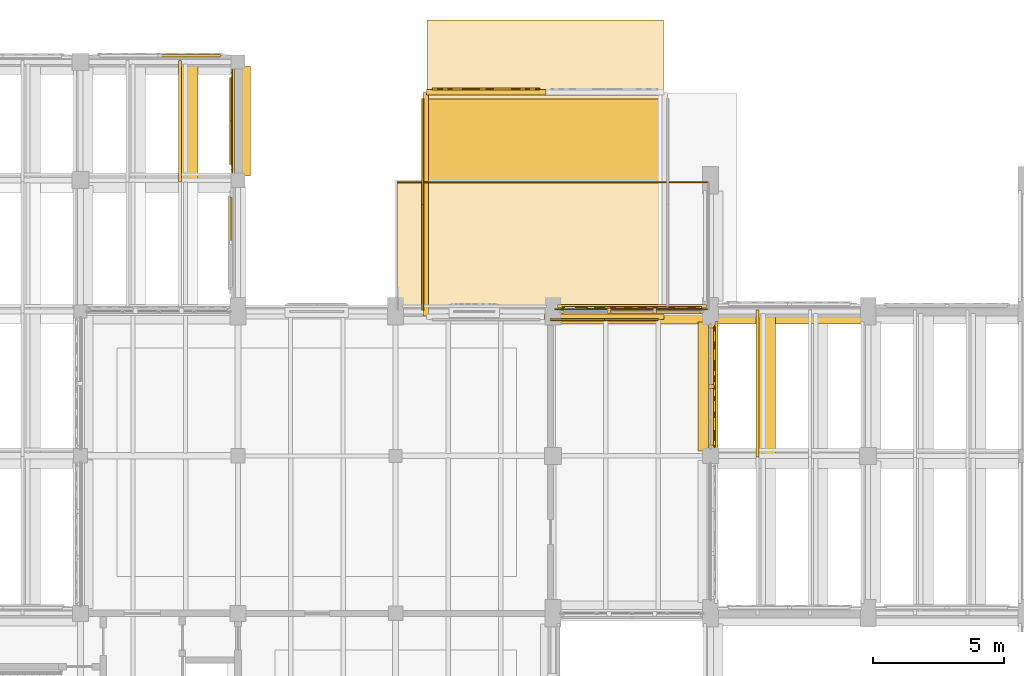
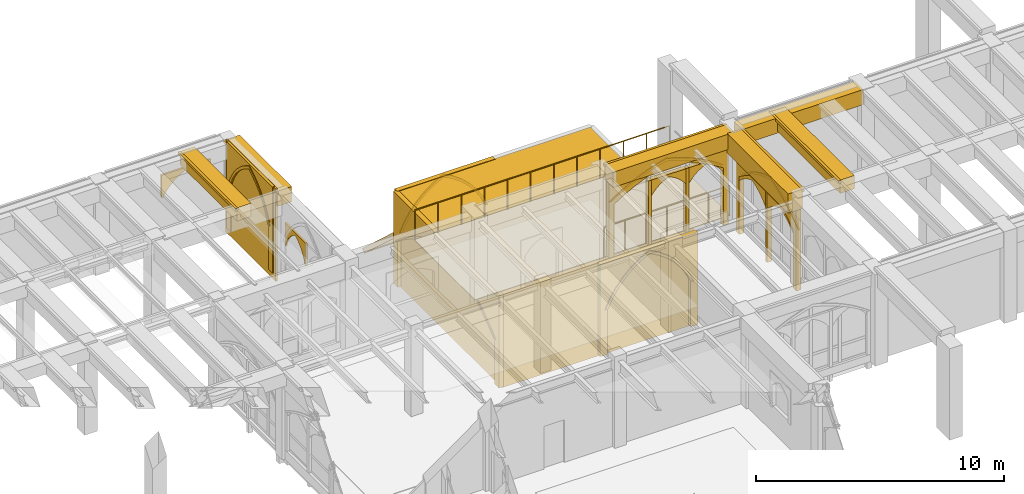
# One storey, part 115 of 127: 36 coverings, 2 railings.
"""IFC4 building model written with IfcOpenShell, lengths in metres."""

from ifc_helpers import new_model, si_unit, direction, frame, origin, origin_2d, place, context, subcontext, project, spatial, polyline, rectangle, circle, outline, extrude, material, type_object, element, save


model = new_model("IFC4")

# Units and contexts
model_context = context("Model", 3, precision=1e-05, world=origin(), true_north=direction((0.0, 1.0)))
body_context = subcontext(model_context, "Body", "Model", "MODEL_VIEW")
ifc_project = project(units=[si_unit("LENGTHUNIT", "METRE"), si_unit("AREAUNIT", "SQUARE_METRE"), si_unit("VOLUMEUNIT", "CUBIC_METRE"), si_unit("PLANEANGLEUNIT", "RADIAN"), si_unit("MASSUNIT", "GRAM", prefix="KILO")], contexts=[model_context])

# Site, building, storey
site_placement = place(None, origin())
site = spatial("IfcSite", under=ifc_project, at=site_placement, CompositionType="ELEMENT")
building_placement = place(site_placement, origin())
building = spatial("IfcBuilding", under=site, at=building_placement, Name="Cumevento Cable Car Station", CompositionType="ELEMENT")
storey_placement = place(building_placement, frame((0.0, 0.0, 4.5)))
storey = spatial("IfcBuildingStorey", under=building, at=storey_placement, Name="L02", CompositionType="ELEMENT", Elevation=4.5)

# Railings
ifc_material_1 = material(Name="Painted Galvanised Architectural Steel", Category="steel")
railing_type = type_object("IfcRailingType", Name="Terrace Guardrail GR-T150 1500", PredefinedType="GUARDRAIL", material=ifc_material_1)
railing_1_placement = place(storey_placement, frame((76.080078125, 61.419921875, 0.0)))
element("IfcRailing", 1, at=railing_1_placement, inside=storey, type_object=railing_type, Name="Panoramic Terrace Guardrail GR-T150 #19", PredefinedType="GUARDRAIL", context=body_context, shape_type="SweptSolid", body=[
    extrude(circle(Radius=0.02490234375, at=origin_2d()), frame((0.0, 0.0, 1.47509765625), z_axis=(1.0, 0.0, 0.0), x_axis=(0.0, 1.0, 0.0)), (0.0, 0.0, 1.0), 11.83984375),
    extrude(circle(Radius=0.02099609375, at=origin_2d()), origin(), (0.0, 0.0, 1.0), 1.449951171875),
    extrude(circle(Radius=0.02099609375, at=origin_2d()), frame((1.076416015625, 0.0, 0.0)), (0.0, 0.0, 1.0), 1.449951171875),
    extrude(circle(Radius=0.02099609375, at=origin_2d()), frame((2.152587890625, 0.0, 0.0)), (0.0, 0.0, 1.0), 1.449951171875),
    extrude(circle(Radius=0.02099609375, at=origin_2d()), frame((3.22900390625, 0.0, 0.0)), (0.0, 0.0, 1.0), 1.449951171875),
    extrude(circle(Radius=0.02099609375, at=origin_2d()), frame((4.305419921875, 0.0, 0.0)), (0.0, 0.0, 1.0), 1.449951171875),
    extrude(circle(Radius=0.02099609375, at=origin_2d()), frame((5.3818359375, 0.0, 0.0)), (0.0, 0.0, 1.0), 1.449951171875),
    extrude(circle(Radius=0.02099609375, at=origin_2d()), frame((6.4580078125, 0.0, 0.0)), (0.0, 0.0, 1.0), 1.449951171875),
    extrude(circle(Radius=0.02099609375, at=origin_2d()), frame((7.534423828125, 0.0, 0.0)), (0.0, 0.0, 1.0), 1.449951171875),
    extrude(circle(Radius=0.02099609375, at=origin_2d()), frame((8.61083984375, 0.0, 0.0)), (0.0, 0.0, 1.0), 1.449951171875),
    extrude(circle(Radius=0.02099609375, at=origin_2d()), frame((9.687255859375, 0.0, 0.0)), (0.0, 0.0, 1.0), 1.449951171875),
    extrude(circle(Radius=0.02099609375, at=origin_2d()), frame((10.763427734375, 0.0, 0.0)), (0.0, 0.0, 1.0), 1.449951171875),
    extrude(circle(Radius=0.02099609375, at=origin_2d()), frame((11.83984375, 0.0, 0.0)), (0.0, 0.0, 1.0), 1.449951171875),
])
railing_2_placement = place(storey_placement, frame((82.080078125, 56.580078125, 0.0)))
element("IfcRailing", 2, at=railing_2_placement, inside=storey, type_object=railing_type, Name="Panoramic Terrace Guardrail GR-T150 #21", PredefinedType="GUARDRAIL", context=body_context, shape_type="SweptSolid", body=[
    extrude(circle(Radius=0.02490234375, at=origin_2d()), frame((0.0, 0.0, 1.47509765625), z_axis=(1.0, 0.0, 0.0), x_axis=(0.0, 1.0, 0.0)), (0.0, 0.0, 1.0), 5.83984375),
    extrude(circle(Radius=0.02099609375, at=origin_2d()), origin(), (0.0, 0.0, 1.0), 1.449951171875),
    extrude(circle(Radius=0.02099609375, at=origin_2d()), frame((0.973388671875, 0.0, 0.0)), (0.0, 0.0, 1.0), 1.449951171875),
    extrude(circle(Radius=0.02099609375, at=origin_2d()), frame((1.946533203125, 0.0, 0.0)), (0.0, 0.0, 1.0), 1.449951171875),
    extrude(circle(Radius=0.02099609375, at=origin_2d()), frame((2.919921875, 0.0, 0.0)), (0.0, 0.0, 1.0), 1.449951171875),
    extrude(circle(Radius=0.02099609375, at=origin_2d()), frame((3.893310546875, 0.0, 0.0)), (0.0, 0.0, 1.0), 1.449951171875),
    extrude(circle(Radius=0.02099609375, at=origin_2d()), frame((4.866455078125, 0.0, 0.0)), (0.0, 0.0, 1.0), 1.449951171875),
    extrude(circle(Radius=0.02099609375, at=origin_2d()), frame((5.83984375, 0.0, 0.0)), (0.0, 0.0, 1.0), 1.449951171875),
])

# Coverings
ifc_material_2 = material(Name="Gnaisse Facoidal Stone Ashlar 85 MPa", Category="masonry")
covering_type = type_object("IfcCoveringType", Name="Gnaisse Ashlar Cladding CV-CL01", PredefinedType="CLADDING", material=ifc_material_2)
covering_1_placement = place(storey_placement, frame((85.0, 56.35009765625, 3.722900390625), z_axis=(0.0, 0.0, 1.0), x_axis=(1.0, 0.0, 0.0)))
element("IfcCovering", 3, at=covering_1_placement, inside=storey, type_object=covering_type, Name="Gothic Stone Spandrel Stringcourse sc:0396", PredefinedType="CLADDING", context=body_context, shape_type="SweptSolid", body=[
    extrude(rectangle(XDim=5.639892578125, YDim=0.659912109375, at=origin_2d()), origin(), (0.0, 0.0, 1.0), 0.7470703125),
])
covering_2_placement = place(storey_placement, frame((85.0, 56.70751953125, 4.340087890625), z_axis=(0.0, 0.0, 1.0), x_axis=(1.0, 0.0, 0.0)))
element("IfcCovering", 4, at=covering_2_placement, inside=storey, type_object=covering_type, Name="Gothic Cornice Dripstone Lip sc:0396", PredefinedType="CLADDING", context=body_context, shape_type="SweptSolid", body=[
    extrude(rectangle(XDim=5.679931640625, YDim=0.114990234375, at=origin_2d()), origin(), (0.0, 0.0, 1.0), 0.1298828125),
])
covering_3_placement = place(storey_placement, frame((87.85693359375, 53.637451171875, 3.52197265625), z_axis=(0.0, 0.0, 1.0), x_axis=(0.0, -1.0, 0.0)))
element("IfcCovering", 5, at=covering_3_placement, inside=storey, type_object=covering_type, Name="Gothic Stone Spandrel Stringcourse sc:0398", PredefinedType="CLADDING", context=body_context, shape_type="SweptSolid", body=[
    extrude(rectangle(XDim=4.9150390625, YDim=0.674072265625, at=origin_2d()), origin(), (0.0, 0.0, 1.0), 0.947998046875),
])
covering_4_placement = place(storey_placement, frame((88.221435546875, 53.637451171875, 4.340087890625), z_axis=(0.0, 0.0, 1.0), x_axis=(0.0, -1.0, 0.0)))
element("IfcCovering", 6, at=covering_4_placement, inside=storey, type_object=covering_type, Name="Gothic Cornice Dripstone Lip sc:0398", PredefinedType="CLADDING", context=body_context, shape_type="SweptSolid", body=[
    extrude(rectangle(XDim=4.955078125, YDim=0.114990234375, at=origin_2d()), origin(), (0.0, 0.0, 1.0), 0.1298828125),
])
covering_5_placement = place(storey_placement, frame((91.0, 56.35009765625, 3.722900390625), z_axis=(0.0, 0.0, 1.0), x_axis=(1.0, 0.0, 0.0)))
element("IfcCovering", 7, at=covering_5_placement, inside=storey, type_object=covering_type, Name="Gothic Stone Spandrel Stringcourse sc:0409", PredefinedType="CLADDING", context=body_context, shape_type="SweptSolid", body=[
    extrude(rectangle(XDim=5.639892578125, YDim=0.659912109375, at=origin_2d()), origin(), (0.0, 0.0, 1.0), 0.7470703125),
])
covering_6_placement = place(storey_placement, frame((70.14990234375, 63.75, 3.702880859375), z_axis=(0.0, 0.0, 1.0), x_axis=(0.0, 1.0, 0.0)))
element("IfcCovering", 8, at=covering_6_placement, inside=storey, type_object=covering_type, Name="Gothic Stone Spandrel Stringcourse sc:0437", PredefinedType="CLADDING", context=body_context, shape_type="SweptSolid", body=[
    extrude(rectangle(XDim=4.18994140625, YDim=0.659912109375, at=origin_2d()), origin(), (0.0, 0.0, 1.0), 0.7470703125),
])
covering_7_placement = place(storey_placement, frame((69.79248046875, 63.75, 4.320068359375), z_axis=(0.0, 0.0, 1.0), x_axis=(0.0, 1.0, 0.0)))
element("IfcCovering", 9, at=covering_7_placement, inside=storey, type_object=covering_type, Name="Gothic Cornice Dripstone Lip sc:0437", PredefinedType="CLADDING", context=body_context, shape_type="SweptSolid", body=[
    extrude(rectangle(XDim=4.22998046875, YDim=0.114990234375, at=origin_2d()), origin(), (0.0, 0.0, 1.0), 0.1298828125),
])
covering_8_placement = place(storey_placement, frame((90.14990234375, 53.75830078125, 3.81298828125), z_axis=(0.0, 0.0, 1.0), x_axis=(0.0, 1.0, 0.0)))
element("IfcCovering", 10, at=covering_8_placement, inside=storey, type_object=covering_type, Name="Gothic Stone Spandrel Stringcourse sc:0521", PredefinedType="CLADDING", context=body_context, shape_type="SweptSolid", body=[
    extrude(rectangle(XDim=5.569580078125, YDim=0.659912109375, at=origin_2d()), origin(), (0.0, 0.0, 1.0), 0.656982421875),
])
covering_9_placement = place(storey_placement, frame((89.79248046875, 53.75830078125, 4.340087890625), z_axis=(0.0, 0.0, 1.0), x_axis=(0.0, 1.0, 0.0)))
element("IfcCovering", 11, at=covering_9_placement, inside=storey, type_object=covering_type, Name="Gothic Cornice Dripstone Lip sc:0521", PredefinedType="CLADDING", context=body_context, shape_type="SweptSolid", body=[
    extrude(rectangle(XDim=5.609619140625, YDim=0.114990234375, at=origin_2d()), origin(), (0.0, 0.0, 1.0), 0.1298828125),
])
covering_10_placement = place(storey_placement, frame((68.14990234375, 63.75048828125, 3.800048828125), z_axis=(0.0, 0.0, 1.0), x_axis=(0.0, 1.0, 0.0)))
element("IfcCovering", 12, at=covering_10_placement, inside=storey, type_object=covering_type, Name="Gothic Stone Spandrel Stringcourse sc:0551", PredefinedType="CLADDING", context=body_context, shape_type="SweptSolid", body=[
    extrude(rectangle(XDim=4.5849609375, YDim=0.659912109375, at=origin_2d()), origin(), (0.0, 0.0, 1.0), 0.64990234375),
])
covering_11_placement = place(storey_placement, frame((67.79248046875, 63.75048828125, 4.320068359375), z_axis=(0.0, 0.0, 1.0), x_axis=(0.0, 1.0, 0.0)))
element("IfcCovering", 13, at=covering_11_placement, inside=storey, type_object=covering_type, Name="Gothic Cornice Dripstone Lip sc:0551", PredefinedType="CLADDING", context=body_context, shape_type="SweptSolid", body=[
    extrude(rectangle(XDim=4.625, YDim=0.114990234375, at=origin_2d()), origin(), (0.0, 0.0, 1.0), 0.1298828125),
])
placement_1 = place(storey_placement, frame((82.300048828125, 56.5, -0.27001953125), z_axis=(0.0, 0.0, 1.0), x_axis=(1.0, 0.0, 0.0)))
element("IfcCovering", 14, at=placement_1, inside=storey, type_object=covering_type, Name="Gothic Ogival Pointed-Arch Stone Spandrel cw_ogival:0061", PredefinedType="CLADDING", context=body_context, shape_type="SweptSolid", body=[
    extrude(outline(polyline([(-0.080078125, 0.0), (-0.080078125, 4.133056640625), (5.47998046875, 4.133056640625), (5.47998046875, 0.0), (5.239990234375, 0.0), (5.239990234375, 2.838623046875), (4.947265625, 3.0263671875), (4.646240234375, 3.2001953125), (4.337158203125, 3.35986328125), (4.021240234375, 3.5048828125), (3.69873046875, 3.635009765625), (3.37060546875, 3.749755859375), (3.037353515625, 3.84912109375), (2.699951171875, 3.932861328125), (2.362548828125, 3.84912109375), (2.029296875, 3.749755859375), (1.701171875, 3.635009765625), (1.378662109375, 3.5048828125), (1.062744140625, 3.35986328125), (0.753662109375, 3.2001953125), (0.45263671875, 3.0263671875), (0.159912109375, 2.838623046875), (0.159912109375, 0.0), (-0.080078125, 0.0)])), frame((0.0, 0.139892578125, 0.0), z_axis=(0.0, -1.0, 0.0), x_axis=(1.0, 0.0, 0.0)), (0.0, 0.0, 1.0), 0.219970703125),
])
covering_13_placement = place(storey_placement, frame((82.300048828125, 56.5, 2.568603515625), z_axis=(0.0, 0.0, 1.0), x_axis=(1.0, 0.0, 0.0)))
element("IfcCovering", 15, at=covering_13_placement, inside=storey, type_object=covering_type, Name="Gothic Pointed Archivolt Hood Moulding cw_ogival:0061", PredefinedType="CLADDING", context=body_context, shape_type="SweptSolid", body=[
    extrude(outline(polyline([(0.159912109375, 0.0), (0.45263671875, 0.187744140625), (0.753662109375, 0.361572265625), (1.062744140625, 0.521240234375), (1.378662109375, 0.666259765625), (1.701171875, 0.79638671875), (2.029296875, 0.9111328125), (2.362548828125, 1.010498046875), (2.699951171875, 1.09423828125), (3.037353515625, 1.010498046875), (3.37060546875, 0.9111328125), (3.69873046875, 0.79638671875), (4.021240234375, 0.666259765625), (4.337158203125, 0.521240234375), (4.646240234375, 0.361572265625), (4.947265625, 0.187744140625), (5.239990234375, 0.0), (5.35009765625, 0.0), (5.048583984375, 0.210693359375), (4.737060546875, 0.406005859375), (4.416259765625, 0.585693359375), (4.086669921875, 0.7490234375), (3.74951171875, 0.8955078125), (3.405517578125, 1.025146484375), (3.05517578125, 1.13720703125), (2.699951171875, 1.231689453125), (2.3447265625, 1.13720703125), (1.994384765625, 1.025146484375), (1.650390625, 0.8955078125), (1.313232421875, 0.7490234375), (0.983642578125, 0.585693359375), (0.662841796875, 0.406005859375), (0.351318359375, 0.210693359375), (0.050048828125, 0.0), (0.159912109375, 0.0)])), frame((0.0, 0.181884765625, 0.0), z_axis=(0.0, -1.0, 0.0), x_axis=(1.0, 0.0, 0.0)), (0.0, 0.0, 1.0), 0.06689453125),
])
element("IfcCovering", 16, at=placement_1, inside=storey, type_object=covering_type, Name="Gothic Bifora Stone Colonnette cw_ogival:0061 #1", PredefinedType="CLADDING", context=body_context, shape_type="SweptSolid", body=[
    extrude(outline(polyline([(1.75341796875, -0.02001953125), (1.9033203125, -0.02001953125), (1.9033203125, 3.40771484375), (1.75341796875, 3.40771484375), (1.75341796875, -0.02001953125)])), frame((0.0, 0.1279296875, 0.0), z_axis=(0.0, -1.0, 0.0), x_axis=(1.0, 0.0, 0.0)), (0.0, 0.0, 1.0), 0.205078125),
])
element("IfcCovering", 17, at=placement_1, inside=storey, type_object=covering_type, Name="Gothic Bifora Stone Colonnette cw_ogival:0061 #2", PredefinedType="CLADDING", context=body_context, shape_type="SweptSolid", body=[
    extrude(outline(polyline([(3.49658203125, -0.02001953125), (3.646728515625, -0.02001953125), (3.646728515625, 3.40771484375), (3.49658203125, 3.40771484375), (3.49658203125, -0.02001953125)])), frame((0.0, 0.1279296875, 0.0), z_axis=(0.0, -1.0, 0.0), x_axis=(1.0, 0.0, 0.0)), (0.0, 0.0, 1.0), 0.205078125),
])
for number, where, z_axis, x_axis, name in (
    (18, (84.17333984375, 56.5, 2.388671875), (0.0, 0.0, 1.0), (1.0, 0.0, 0.0), "Gothic Ogival Pointed-Arch Stone Spandrel cw_ogival:0061:sub:1"),
    (19, (85.916748046875, 56.5, 2.388671875), (0.0, 0.0, 1.0), (1.0, 0.0, 0.0), "Gothic Ogival Pointed-Arch Stone Spandrel cw_ogival:0061:sub:2"),
):
    element("IfcCovering", number, at=place(storey_placement, frame(where, z_axis=z_axis, x_axis=x_axis)), inside=storey, type_object=covering_type, Name=name, PredefinedType="CLADDING", context=body_context, shape_type="SweptSolid", body=[
        extrude(outline(polyline([(-0.02001953125, 0.0), (-0.02001953125, 0.7490234375), (1.67333984375, 0.7490234375), (1.67333984375, 0.0), (1.61328125, 0.0), (1.51171875, 0.136962890625), (1.396728515625, 0.2626953125), (1.269287109375, 0.3759765625), (1.130615234375, 0.4755859375), (0.982666015625, 0.56005859375), (0.82666015625, 0.62890625), (0.670654296875, 0.56005859375), (0.522705078125, 0.4755859375), (0.384033203125, 0.3759765625), (0.256591796875, 0.2626953125), (0.1416015625, 0.136962890625), (0.0400390625, 0.0), (-0.02001953125, 0.0)])), frame((0.0, 0.1240234375, 0.0), z_axis=(0.0, -1.0, 0.0), x_axis=(1.0, 0.0, 0.0)), (0.0, 0.0, 1.0), 0.199951171875),
    ])
placement_2 = place(storey_placement, frame((88.0, 55.97509765625, -0.469970703125), z_axis=(0.0, 0.0, 1.0), x_axis=(0.0, -1.0, 0.0)))
element("IfcCovering", 20, at=placement_2, inside=storey, type_object=covering_type, Name="Gothic Ogival Pointed-Arch Stone Spandrel cw_ogival:0065", PredefinedType="CLADDING", context=body_context, shape_type="SweptSolid", body=[
    extrude(outline(polyline([(-0.080078125, 0.0), (-0.080078125, 4.132080078125), (4.7548828125, 4.132080078125), (4.7548828125, 0.0), (4.514892578125, 0.0), (4.514892578125, 2.838134765625), (4.271240234375, 3.024658203125), (4.017822265625, 3.19775390625), (3.755615234375, 3.35693359375), (3.485107421875, 3.502197265625), (3.207275390625, 3.632568359375), (2.9228515625, 3.747802734375), (2.632568359375, 3.84765625), (2.33740234375, 3.93212890625), (2.04248046875, 3.84765625), (1.752197265625, 3.747802734375), (1.4677734375, 3.632568359375), (1.18994140625, 3.502197265625), (0.91943359375, 3.35693359375), (0.6572265625, 3.19775390625), (0.40380859375, 3.024658203125), (0.159912109375, 2.838134765625), (0.159912109375, 0.0), (-0.080078125, 0.0)])), frame((0.0, 0.139892578125, 0.0), z_axis=(0.0, -1.0, 0.0), x_axis=(1.0, 0.0, 0.0)), (0.0, 0.0, 1.0), 0.219970703125),
])
covering_17_placement = place(storey_placement, frame((88.0, 55.97509765625, 2.3681640625), z_axis=(0.0, 0.0, 1.0), x_axis=(0.0, -1.0, 0.0)))
element("IfcCovering", 21, at=covering_17_placement, inside=storey, type_object=covering_type, Name="Gothic Pointed Archivolt Hood Moulding cw_ogival:0065", PredefinedType="CLADDING", context=body_context, shape_type="SweptSolid", body=[
    extrude(outline(polyline([(0.159912109375, 0.0), (0.40380859375, 0.1865234375), (0.6572265625, 0.359619140625), (0.91943359375, 0.518798828125), (1.18994140625, 0.6640625), (1.4677734375, 0.79443359375), (1.752197265625, 0.90966796875), (2.04248046875, 1.009521484375), (2.33740234375, 1.093994140625), (2.632568359375, 1.009521484375), (2.9228515625, 0.90966796875), (3.207275390625, 0.79443359375), (3.485107421875, 0.6640625), (3.755615234375, 0.518798828125), (4.017822265625, 0.359619140625), (4.271240234375, 0.1865234375), (4.514892578125, 0.0), (4.625, 0.0), (4.373046875, 0.209228515625), (4.109619140625, 0.403564453125), (3.83544921875, 0.582763671875), (3.551513671875, 0.74609375), (3.2587890625, 0.89306640625), (2.958251953125, 1.023193359375), (2.65087890625, 1.13623046875), (2.33740234375, 1.2314453125), (2.024169921875, 1.13623046875), (1.716796875, 1.023193359375), (1.416259765625, 0.89306640625), (1.12353515625, 0.74609375), (0.839599609375, 0.582763671875), (0.5654296875, 0.403564453125), (0.302001953125, 0.209228515625), (0.050048828125, 0.0), (0.159912109375, 0.0)])), frame((0.0, 0.181884765625, 0.0), z_axis=(0.0, -1.0, 0.0), x_axis=(1.0, 0.0, 0.0)), (0.0, 0.0, 1.0), 0.06689453125),
])
element("IfcCovering", 22, at=placement_2, inside=storey, type_object=covering_type, Name="Gothic Bifora Stone Colonnette cw_ogival:0065 #1", PredefinedType="CLADDING", context=body_context, shape_type="SweptSolid", body=[
    extrude(outline(polyline([(2.262451171875, -0.02001953125), (2.41259765625, -0.02001953125), (2.41259765625, 3.406982421875), (2.262451171875, 3.406982421875), (2.262451171875, -0.02001953125)])), frame((0.0, 0.1279296875, 0.0), z_axis=(0.0, -1.0, 0.0), x_axis=(1.0, 0.0, 0.0)), (0.0, 0.0, 1.0), 0.205078125),
])
for number, where, z_axis, x_axis, name in (
    (23, (88.0, 55.844970703125, 2.18798828125), (0.0, 0.0, 1.0), (0.0, -1.0, 0.0), "Gothic Ogival Pointed-Arch Stone Spandrel cw_ogival:0065:sub:0"),
    (24, (88.0, 53.592529296875, 2.18798828125), (0.0, 0.0, 1.0), (0.0, -1.0, 0.0), "Gothic Ogival Pointed-Arch Stone Spandrel cw_ogival:0065:sub:1"),
):
    element("IfcCovering", number, at=place(storey_placement, frame(where, z_axis=z_axis, x_axis=x_axis)), inside=storey, type_object=covering_type, Name=name, PredefinedType="CLADDING", context=body_context, shape_type="SweptSolid", body=[
        extrude(outline(polyline([(-0.02001953125, 0.0), (-0.02001953125, 0.748779296875), (2.1826171875, 0.748779296875), (2.1826171875, 0.0), (2.12255859375, 0.0), (1.972900390625, 0.139892578125), (1.812255859375, 0.2666015625), (1.641357421875, 0.3798828125), (1.4619140625, 0.478271484375), (1.274658203125, 0.5615234375), (1.081298828125, 0.62890625), (0.887939453125, 0.5615234375), (0.70068359375, 0.478271484375), (0.521240234375, 0.3798828125), (0.350341796875, 0.2666015625), (0.189697265625, 0.139892578125), (0.0400390625, 0.0), (-0.02001953125, 0.0)])), frame((0.0, 0.1240234375, 0.0), z_axis=(0.0, -1.0, 0.0), x_axis=(1.0, 0.0, 0.0)), (0.0, 0.0, 1.0), 0.199951171875),
    ])
covering_19_placement = place(storey_placement, frame((67.070068359375, 66.0, 2.340087890625), z_axis=(0.0, 0.0, 1.0), x_axis=(1.0, 0.0, 0.0)))
element("IfcCovering", 25, at=covering_19_placement, inside=storey, type_object=covering_type, Name="Gothic Ogival Pointed-Arch Stone Spandrel blind_ogival:0068:sub:1", PredefinedType="CLADDING", context=body_context, shape_type="SweptSolid", body=[
    extrude(outline(polyline([(-0.02001953125, 0.0), (-0.02001953125, 1.115966796875), (2.264892578125, 1.115966796875), (2.264892578125, 0.0), (2.205078125, 0.0), (2.076171875, 0.214111328125), (1.923828125, 0.412109375), (1.75, 0.591552734375), (1.556640625, 0.75), (1.3466796875, 0.88525390625), (1.12255859375, 0.99609375), (0.8984375, 0.88525390625), (0.6884765625, 0.75), (0.4951171875, 0.591552734375), (0.3212890625, 0.412109375), (0.1689453125, 0.214111328125), (0.0400390625, 0.0), (-0.02001953125, 0.0)])), frame((0.0, 0.276611328125, 0.0), z_axis=(0.0, -1.0, 0.0), x_axis=(1.0, 0.0, 0.0)), (0.0, 0.0, 1.0), 0.090087890625),
])
covering_20_placement = place(storey_placement, frame((70.0, 59.169921875, 2.340087890625), z_axis=(0.0, 0.0, 1.0), x_axis=(0.0, 1.0, 0.0)))
element("IfcCovering", 26, at=covering_20_placement, inside=storey, type_object=covering_type, Name="Gothic Ogival Pointed-Arch Stone Spandrel blind_ogival:0071:sub:1", PredefinedType="CLADDING", context=body_context, shape_type="SweptSolid", body=[
    extrude(outline(polyline([(-0.02001953125, 0.0), (-0.02001953125, 1.115966796875), (1.6650390625, 1.115966796875), (1.6650390625, 0.0), (1.60498046875, 0.0), (1.536865234375, 0.206298828125), (1.44091796875, 0.40087890625), (1.31884765625, 0.58056640625), (1.17333984375, 0.74169921875), (1.0068359375, 0.881103515625), (0.822509765625, 0.99609375), (0.63818359375, 0.881103515625), (0.4716796875, 0.74169921875), (0.326171875, 0.58056640625), (0.2041015625, 0.40087890625), (0.108154296875, 0.206298828125), (0.0400390625, 0.0), (-0.02001953125, 0.0)])), frame((0.0, 0.31396484375, 0.0), z_axis=(0.0, -1.0, 0.0), x_axis=(1.0, 0.0, 0.0)), (0.0, 0.0, 1.0), 0.090087890625),
])
covering_21_placement = place(storey_placement, frame((70.0, 61.77490234375, 0.0), z_axis=(0.0, 0.0, 1.0), x_axis=(0.0, 1.0, 0.0)))
element("IfcCovering", 27, at=covering_21_placement, inside=storey, type_object=covering_type, Name="Exterior Gnaisse Stone Wall Ashlar #72", PredefinedType="CLADDING", context=body_context, shape_type="SweptSolid", body=[
    extrude(outline(polyline([(-0.0400390625, -0.02001953125), (3.989990234375, -0.02001953125), (3.989990234375, 4.52001953125), (-0.0400390625, 4.52001953125), (-0.0400390625, -0.02001953125)])), frame((0.0, 0.215087890625, 0.0), z_axis=(0.0, -1.0, 0.0), x_axis=(1.0, 0.0, 0.0)), (0.0, 0.0, 1.0), 0.0849609375),
])
covering_22_placement = place(storey_placement, frame((70.0, 61.955078125, 0.300048828125), z_axis=(0.0, 0.0, 1.0), x_axis=(0.0, 1.0, 0.0)))
element("IfcCovering", 28, at=covering_22_placement, inside=storey, type_object=covering_type, Name="Gothic Ogival Pointed-Arch Stone Spandrel blind_ogival:0072", PredefinedType="CLADDING", context=body_context, shape_type="SweptSolid", body=[
    extrude(outline(polyline([(-0.050048828125, 0.0), (-0.050048828125, 4.239990234375), (3.639892578125, 4.239990234375), (3.639892578125, 0.0), (3.330078125, 0.0), (3.330078125, 2.219970703125), (3.206298828125, 2.5439453125), (3.04638671875, 2.851806640625), (2.852783203125, 3.139404296875), (2.627685546875, 3.4033203125), (2.374267578125, 3.64013671875), (2.095458984375, 3.846435546875), (1.794921875, 4.02001953125), (1.49462890625, 3.846435546875), (1.2158203125, 3.64013671875), (0.96240234375, 3.4033203125), (0.7373046875, 3.139404296875), (0.543701171875, 2.851806640625), (0.3837890625, 2.5439453125), (0.260009765625, 2.219970703125), (0.260009765625, 0.0), (-0.050048828125, 0.0)])), frame((0.0, 0.27001953125, 0.0), z_axis=(0.0, -1.0, 0.0), x_axis=(1.0, 0.0, 0.0)), (0.0, 0.0, 1.0), 0.110107421875),
])
covering_23_placement = place(storey_placement, frame((70.0, 61.955078125, 2.52001953125), z_axis=(0.0, 0.0, 1.0), x_axis=(0.0, 1.0, 0.0)))
element("IfcCovering", 29, at=covering_23_placement, inside=storey, type_object=covering_type, Name="Gothic Pointed Archivolt Hood Moulding blind_ogival:0072", PredefinedType="CLADDING", context=body_context, shape_type="SweptSolid", body=[
    extrude(outline(polyline([(0.260009765625, 0.0), (0.3837890625, 0.323974609375), (0.543701171875, 0.6318359375), (0.7373046875, 0.91943359375), (0.96240234375, 1.183349609375), (1.2158203125, 1.420166015625), (1.49462890625, 1.62646484375), (1.794921875, 1.800048828125), (2.095458984375, 1.62646484375), (2.374267578125, 1.420166015625), (2.627685546875, 1.183349609375), (2.852783203125, 0.91943359375), (3.04638671875, 0.6318359375), (3.206298828125, 0.323974609375), (3.330078125, 0.0), (3.450927734375, 0.0), (3.318115234375, 0.35107421875), (3.146240234375, 0.6845703125), (2.9375, 0.996337890625), (2.69482421875, 1.282470703125), (2.4208984375, 1.539306640625), (2.119873046875, 1.76318359375), (1.794921875, 1.951171875), (1.47021484375, 1.76318359375), (1.169189453125, 1.539306640625), (0.895263671875, 1.282470703125), (0.652587890625, 0.996337890625), (0.44384765625, 0.6845703125), (0.27197265625, 0.35107421875), (0.138916015625, 0.0), (0.260009765625, 0.0)])), frame((0.0, 0.31201171875, 0.0), z_axis=(0.0, -1.0, 0.0), x_axis=(1.0, 0.0, 0.0)), (0.0, 0.0, 1.0), 0.06689453125),
])
covering_24_placement = place(storey_placement, frame((0.0, 0.0, -0.0048828125)))
element("IfcCovering", 30, at=covering_24_placement, inside=storey, type_object=covering_type, Name="Gnaisse Stone Terrace Parterre Paving #7.1", PredefinedType="CLADDING", context=body_context, shape_type="SweptSolid", body=[
    extrude(outline(polyline([(76.06005859375, 61.43994140625), (87.93994140625, 61.43994140625), (87.93994140625, 56.56005859375), (76.06005859375, 56.56005859375), (76.06005859375, 61.43994140625)])), origin(), (0.0, 0.0, 1.0), 0.02294921875),
])
covering_25_placement = place(storey_placement, frame((0.0, 0.0, -4.580078125)))
element("IfcCovering", 31, at=covering_25_placement, inside=storey, type_object=covering_type, Name="Stepped Gnaisse Hillside Terrain Shoulder SLOPE_NE_W.1", PredefinedType="CLADDING", context=body_context, shape_type="SweptSolid", body=[
    extrude(outline(polyline([(77.199951171875, 56.35009765625), (77.199951171875, 64.800048828125), (86.199951171875, 64.800048828125), (86.199951171875, 56.35009765625), (77.199951171875, 56.35009765625)])), origin(), (0.0, 0.0, 1.0), 4.56005859375),
])
covering_26_placement = place(storey_placement, frame((86.199951171875, 56.35009765625, -4.52001953125), z_axis=(0.0, 0.0, 1.0), x_axis=(-1.0, 0.0, 0.0)))
element("IfcCovering", 32, at=covering_26_placement, inside=storey, type_object=covering_type, Name="Gothic Ogival Pointed-Arch Stone Spandrel cumevento_plinth:bank_arch:SLOPE_NE_W:S:1", PredefinedType="CLADDING", context=body_context, shape_type="SweptSolid", body=[
    extrude(outline(polyline([(-0.030029296875, 0.0), (-0.030029296875, 4.52001953125), (4.530029296875, 4.52001953125), (4.530029296875, 0.0), (4.179931640625, 0.0), (4.179931640625, 2.25), (3.974365234375, 2.683837890625), (3.71630859375, 3.088623046875), (3.40966796875, 3.458251953125), (3.059326171875, 3.78662109375), (2.670654296875, 4.068603515625), (2.25, 4.300048828125), (1.829345703125, 4.068603515625), (1.440673828125, 3.78662109375), (1.09033203125, 3.458251953125), (0.78369140625, 3.088623046875), (0.525634765625, 2.683837890625), (0.320068359375, 2.25), (0.320068359375, 0.0), (-0.030029296875, 0.0)])), frame((0.0, 0.159912109375, 0.0), z_axis=(0.0, -1.0, 0.0), x_axis=(1.0, 0.0, 0.0)), (0.0, 0.0, 1.0), 0.219970703125),
])
covering_27_placement = place(storey_placement, frame((86.199951171875, 56.35009765625, -2.27001953125), z_axis=(0.0, 0.0, 1.0), x_axis=(-1.0, 0.0, 0.0)))
element("IfcCovering", 33, at=covering_27_placement, inside=storey, type_object=covering_type, Name="Gothic Pointed Archivolt Hood Moulding cumevento_plinth:bank_arch:SLOPE_NE_W:S:1", PredefinedType="CLADDING", context=body_context, shape_type="SweptSolid", body=[
    extrude(outline(polyline([(0.320068359375, 0.0), (0.525634765625, 0.433837890625), (0.78369140625, 0.838623046875), (1.09033203125, 1.208251953125), (1.440673828125, 1.53662109375), (1.829345703125, 1.818603515625), (2.25, 2.050048828125), (2.670654296875, 1.818603515625), (3.059326171875, 1.53662109375), (3.40966796875, 1.208251953125), (3.71630859375, 0.838623046875), (3.974365234375, 0.433837890625), (4.179931640625, 0.0), (4.301025390625, 0.0), (4.08447265625, 0.46533203125), (3.811279296875, 0.89990234375), (3.48583984375, 1.296630859375), (3.113037109375, 1.649169921875), (2.698974609375, 1.952392578125), (2.25, 2.201171875), (1.801025390625, 1.952392578125), (1.386962890625, 1.649169921875), (1.01416015625, 1.296630859375), (0.688720703125, 0.89990234375), (0.41552734375, 0.46533203125), (0.198974609375, 0.0), (0.320068359375, 0.0)])), frame((0.0, 0.201904296875, 0.0), z_axis=(0.0, -1.0, 0.0), x_axis=(1.0, 0.0, 0.0)), (0.0, 0.0, 1.0), 0.06689453125),
])
covering_28_placement = place(storey_placement, frame((77.199951171875, 64.800048828125, -4.52001953125), z_axis=(0.0, 0.0, 1.0), x_axis=(1.0, 0.0, 0.0)))
element("IfcCovering", 34, at=covering_28_placement, inside=storey, type_object=covering_type, Name="Gothic Ogival Pointed-Arch Stone Spandrel cumevento_plinth:bank_arch:SLOPE_NE_W:N:1", PredefinedType="CLADDING", context=body_context, shape_type="SweptSolid", body=[
    extrude(outline(polyline([(-0.030029296875, 0.0), (-0.030029296875, 4.52001953125), (4.530029296875, 4.52001953125), (4.530029296875, 0.0), (4.179931640625, 0.0), (4.179931640625, 2.25), (3.974365234375, 2.683837890625), (3.71630859375, 3.088623046875), (3.40966796875, 3.458251953125), (3.059326171875, 3.78662109375), (2.670654296875, 4.068603515625), (2.25, 4.300048828125), (1.829345703125, 4.068603515625), (1.440673828125, 3.78662109375), (1.09033203125, 3.458251953125), (0.78369140625, 3.088623046875), (0.525634765625, 2.683837890625), (0.320068359375, 2.25), (0.320068359375, 0.0), (-0.030029296875, 0.0)])), frame((0.0, 0.159912109375, 0.0), z_axis=(0.0, -1.0, 0.0), x_axis=(1.0, 0.0, 0.0)), (0.0, 0.0, 1.0), 0.219970703125),
])
covering_29_placement = place(storey_placement, frame((77.199951171875, 64.800048828125, -2.27001953125), z_axis=(0.0, 0.0, 1.0), x_axis=(1.0, 0.0, 0.0)))
element("IfcCovering", 35, at=covering_29_placement, inside=storey, type_object=covering_type, Name="Gothic Pointed Archivolt Hood Moulding cumevento_plinth:bank_arch:SLOPE_NE_W:N:1", PredefinedType="CLADDING", context=body_context, shape_type="SweptSolid", body=[
    extrude(outline(polyline([(0.320068359375, 0.0), (0.525634765625, 0.433837890625), (0.78369140625, 0.838623046875), (1.09033203125, 1.208251953125), (1.440673828125, 1.53662109375), (1.829345703125, 1.818603515625), (2.25, 2.050048828125), (2.670654296875, 1.818603515625), (3.059326171875, 1.53662109375), (3.40966796875, 1.208251953125), (3.71630859375, 0.838623046875), (3.974365234375, 0.433837890625), (4.179931640625, 0.0), (4.301025390625, 0.0), (4.08447265625, 0.46533203125), (3.811279296875, 0.89990234375), (3.48583984375, 1.296630859375), (3.113037109375, 1.649169921875), (2.698974609375, 1.952392578125), (2.25, 2.201171875), (1.801025390625, 1.952392578125), (1.386962890625, 1.649169921875), (1.01416015625, 1.296630859375), (0.688720703125, 0.89990234375), (0.41552734375, 0.46533203125), (0.198974609375, 0.0), (0.320068359375, 0.0)])), frame((0.0, 0.201904296875, 0.0), z_axis=(0.0, -1.0, 0.0), x_axis=(1.0, 0.0, 0.0)), (0.0, 0.0, 1.0), 0.06689453125),
])
covering_30_placement = place(storey_placement, frame((86.199951171875, 67.60009765625, -4.5400390625), z_axis=(0.0, 0.676450238198, 0.736488340194), x_axis=(-1.0, 0.0, 0.0)))
element("IfcCovering", 36, at=covering_30_placement, inside=storey, type_object=covering_type, Name="Sloped Gnaisse Hillside Talus SLOPE_NE_W N", PredefinedType="CLADDING", context=body_context, shape_type="SweptSolid", body=[
    extrude(outline(polyline([(0.0, 0.0), (9.0, 0.0), (9.0, 3.8834388350547924), (0.0, 3.8834388350547924), (0.0, 0.0)])), origin(), (0.0, 0.0, -1.0), 0.219970703125),
])
covering_31_placement = place(storey_placement, frame((77.199951171875, 56.35009765625, -4.52001953125), z_axis=(0.0, 0.0, 1.0), x_axis=(0.0, 1.0, 0.0)))
element("IfcCovering", 37, at=covering_31_placement, inside=storey, type_object=covering_type, Name="Gothic Ogival Pointed-Arch Stone Spandrel cumevento_plinth:bank_arch:SLOPE_NE_W:W:0", PredefinedType="CLADDING", context=body_context, shape_type="SweptSolid", body=[
    extrude(outline(polyline([(-0.030029296875, 0.0), (-0.030029296875, 4.52001953125), (8.47998046875, 4.52001953125), (8.47998046875, 0.0), (8.1298828125, 0.0), (8.1298828125, 2.25), (7.548583984375, 2.70947265625), (6.934814453125, 3.12451171875), (6.2919921875, 3.492919921875), (5.62353515625, 3.812744140625), (4.933349609375, 4.082275390625), (4.22509765625, 4.300048828125), (3.5166015625, 4.082275390625), (2.826416015625, 3.812744140625), (2.157958984375, 3.492919921875), (1.51513671875, 3.12451171875), (0.9013671875, 2.70947265625), (0.320068359375, 2.25), (0.320068359375, 0.0), (-0.030029296875, 0.0)])), frame((0.0, 0.159912109375, 0.0), z_axis=(0.0, -1.0, 0.0), x_axis=(1.0, 0.0, 0.0)), (0.0, 0.0, 1.0), 0.219970703125),
])
covering_32_placement = place(storey_placement, frame((77.199951171875, 56.35009765625, -2.27001953125), z_axis=(0.0, 0.0, 1.0), x_axis=(0.0, 1.0, 0.0)))
element("IfcCovering", 38, at=covering_32_placement, inside=storey, type_object=covering_type, Name="Gothic Pointed Archivolt Hood Moulding cumevento_plinth:bank_arch:SLOPE_NE_W:W:0", PredefinedType="CLADDING", context=body_context, shape_type="SweptSolid", body=[
    extrude(outline(polyline([(0.320068359375, 0.0), (0.9013671875, 0.45947265625), (1.51513671875, 0.87451171875), (2.157958984375, 1.242919921875), (2.826416015625, 1.562744140625), (3.5166015625, 1.832275390625), (4.22509765625, 2.050048828125), (4.933349609375, 1.832275390625), (5.62353515625, 1.562744140625), (6.2919921875, 1.242919921875), (6.934814453125, 0.87451171875), (7.548583984375, 0.45947265625), (8.1298828125, 0.0), (8.2509765625, 0.0), (7.6572265625, 0.4921875), (7.02734375, 0.9375), (6.365234375, 1.333251953125), (5.6748046875, 1.67724609375), (4.9599609375, 1.967041015625), (4.22509765625, 2.201171875), (3.489990234375, 1.967041015625), (2.775146484375, 1.67724609375), (2.084716796875, 1.333251953125), (1.422607421875, 0.9375), (0.792724609375, 0.4921875), (0.198974609375, 0.0), (0.320068359375, 0.0)])), frame((0.0, 0.201904296875, 0.0), z_axis=(0.0, -1.0, 0.0), x_axis=(1.0, 0.0, 0.0)), (0.0, 0.0, 1.0), 0.06689453125),
])

save(model, "model.ifc")
